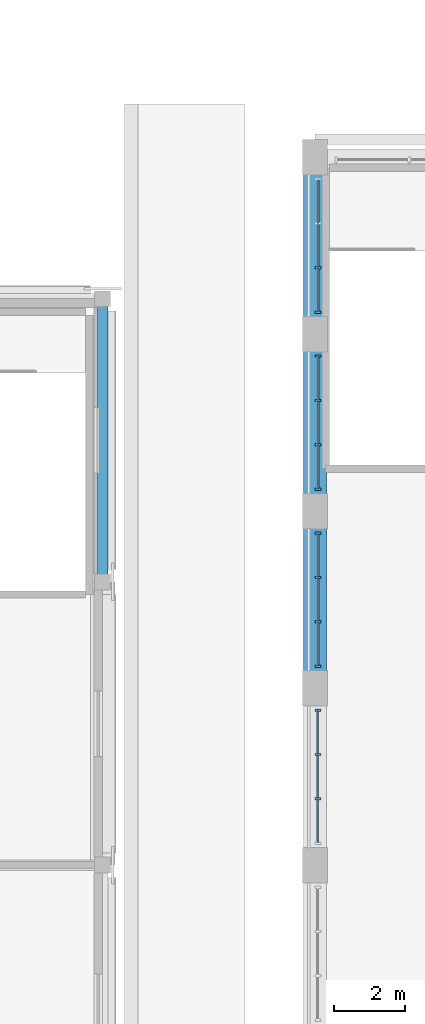
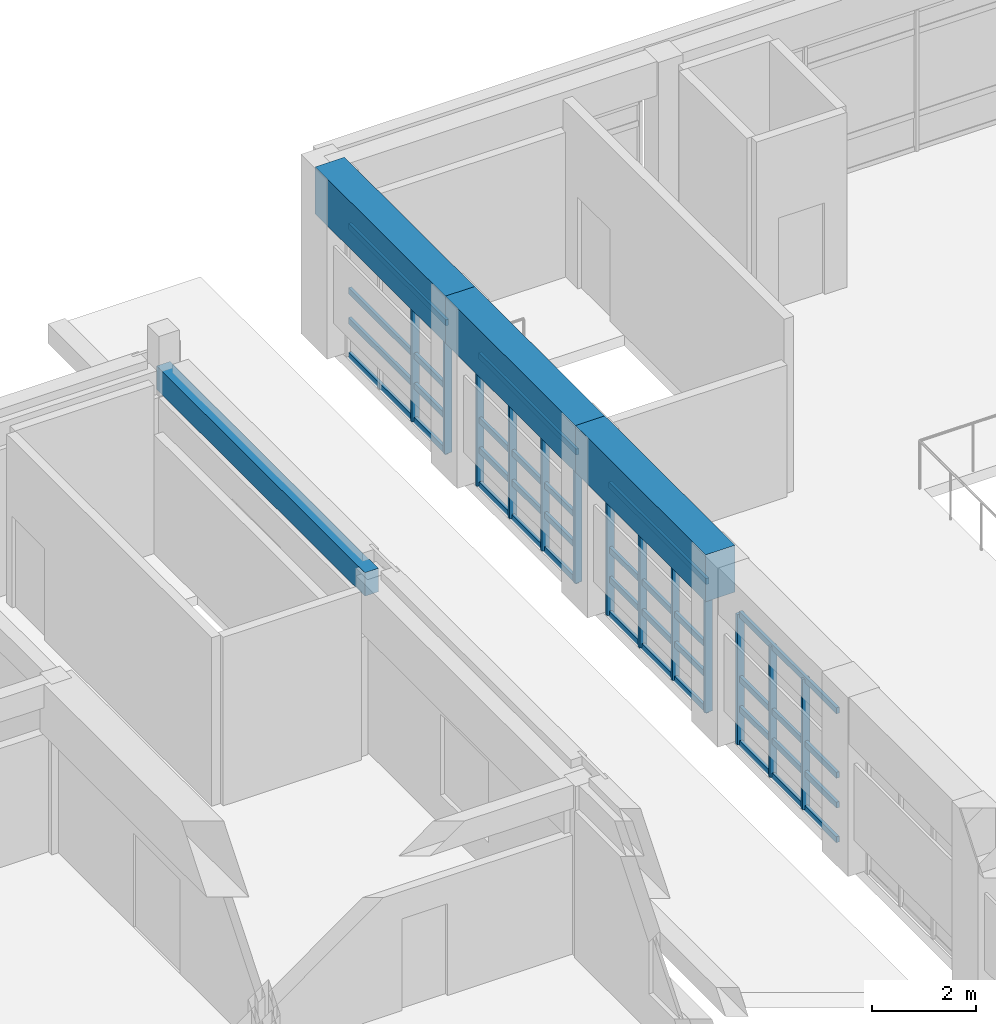
# One storey, part 26 of 97: 29 members, 4 beams, 4 elements without a shape of their own.
"""IFC4 building model written with IfcOpenShell, lengths in metres."""

import ifcopenshell
import ifcopenshell.guid

model = None  # the IFC model being written
_history = None  # IfcOwnerHistory: only IFC2X3 demands one
_inside = {}  # id of a spatial element -> (the spatial element, [elements in it])
_under = {}  # id of a project, library or spatial element -> (it, [spatial elements below it])
_declared = {}  # id of a project -> (the project, [libraries it declares])
_typed = {}  # id of a type object -> (the type object, [elements of that type])
_made_of = {}  # id of a material, layer set ... -> (it, [elements and type objects made of it])


def new_model(schema):
    """Start an empty IFC model of exactly this schema.

    Asked for "IFC4X3", IfcOpenShell would pick the latest addendum, in which some entities
    have other attributes; the version numbers below select the first issue.
    IFC2X3 requires an IfcOwnerHistory on every rooted entity: one is made here for all.
    """
    global model, _history
    if schema == "IFC4X3":
        model = ifcopenshell.file(schema_version=(4, 3, 0, 0))
    else:
        model = ifcopenshell.file(schema=schema)
    _inside.clear()
    _under.clear()
    _declared.clear()
    _typed.clear()
    _made_of.clear()
    _history = None
    if model.schema == "IFC2X3":
        org = make("IfcOrganization", Name="unknown")
        user = make(
            "IfcPersonAndOrganization",
            ThePerson=make("IfcPerson", FamilyName="unknown"),
            TheOrganization=org,
        )
        app = make(
            "IfcApplication",
            ApplicationDeveloper=org,
            Version="unknown",
            ApplicationFullName="unknown",
            ApplicationIdentifier="unknown",
        )
        _history = make(
            "IfcOwnerHistory",
            OwningUser=user,
            OwningApplication=app,
            ChangeAction="ADDED",
            CreationDate=0,
        )
    return model


def make(cls, **values):
    """One entity of the class cls with the attributes given. An attribute that is None is left unset."""
    return model.create_entity(
        cls, **{name: value for name, value in values.items() if value is not None}
    )


def rooted(cls, **values):
    """An entity with a GlobalId (a new one), such as an element, a storey or a relation."""
    return make(cls, GlobalId=ifcopenshell.guid.new(), OwnerHistory=_history, **values)


def si_unit(unit_type, name, prefix=None):
    """IfcSIUnit, for example si_unit("LENGTHUNIT", "METRE", prefix="MILLI")."""
    return make("IfcSIUnit", UnitType=unit_type, Prefix=prefix, Name=name)


def assignment(units):
    """IfcUnitAssignment: the units of a project."""
    return None if units is None else make("IfcUnitAssignment", Units=units)


def point(xyz):
    """IfcCartesianPoint."""
    return None if xyz is None else make("IfcCartesianPoint", Coordinates=xyz)


def direction(xyz):
    """IfcDirection."""
    return None if xyz is None else make("IfcDirection", DirectionRatios=xyz)


def frame(location, z_axis=None, x_axis=None):
    """IfcAxis2Placement3D, a coordinate frame: its origin and axes. An axis left out is left unset."""
    return make(
        "IfcAxis2Placement3D",
        Location=point(location),
        Axis=direction(z_axis),
        RefDirection=direction(x_axis),
    )


def frame_2d(location, x_axis=None):
    """IfcAxis2Placement2D, a coordinate frame in the plane: its origin and x axis."""
    return make(
        "IfcAxis2Placement2D", Location=point(location), RefDirection=direction(x_axis)
    )


def origin():
    """The frame at (0, 0, 0) with its axes left unset."""
    return frame((0.0, 0.0, 0.0))


def origin_2d():
    """The frame at (0, 0) in the plane with its x axis left unset."""
    return frame_2d((0.0, 0.0))


def place(relative_to, where):
    """IfcLocalPlacement: puts the frame where relative to a parent placement (None: the world)."""
    return make(
        "IfcLocalPlacement", PlacementRelTo=relative_to, RelativePlacement=where
    )


def context(
    kind, dimensions, precision=None, world=None, true_north=None, identifier=None
):
    """IfcGeometricRepresentationContext, for example the 3D "Model" context."""
    return make(
        "IfcGeometricRepresentationContext",
        ContextIdentifier=identifier,
        ContextType=kind,
        CoordinateSpaceDimension=dimensions,
        Precision=precision,
        WorldCoordinateSystem=world,
        TrueNorth=true_north,
    )


def subcontext(parent, identifier, kind, view, scale=None):
    """IfcGeometricRepresentationSubContext, for example "Body" below "Model"."""
    return make(
        "IfcGeometricRepresentationSubContext",
        ContextIdentifier=identifier,
        ContextType=kind,
        ParentContext=parent,
        TargetScale=scale,
        TargetView=view,
    )


def project(units=None, contexts=None):
    """IfcProject with its units and contexts."""
    return rooted(
        "IfcProject",
        Name="project",
        RepresentationContexts=contexts,
        UnitsInContext=assignment(units),
    )


def spatial(cls, under=None, at=None, **own):
    """A site, building, storey or space (cls), placed at a placement, below another one or the project."""
    s = rooted(cls, ObjectPlacement=at, **own)
    if under is not None:
        _under.setdefault(under.id(), (under, []))[1].append(s)
    return s


def profile(cls, at=None, kind="AREA", **sizes):
    """A parametric profile (cls). Its sizes go by their IFC names, for example OverallWidth=200.0."""
    return make(cls, ProfileType=kind, Position=at, **sizes)


def rectangle(**sizes):
    """IfcRectangleProfileDef."""
    return profile("IfcRectangleProfileDef", **sizes)


def extrude(swept, where, along, depth):
    """IfcExtrudedAreaSolid: the profile swept, set in the frame where, extruded along a direction by depth."""
    return make(
        "IfcExtrudedAreaSolid",
        SweptArea=swept,
        Position=where,
        ExtrudedDirection=direction(along),
        Depth=depth,
    )


def shape(context_of_items, identifier, shape_type, items):
    """IfcShapeRepresentation: the items that make up one representation, for example the "Body"."""
    return make(
        "IfcShapeRepresentation",
        ContextOfItems=context_of_items,
        RepresentationIdentifier=identifier,
        RepresentationType=shape_type,
        Items=items,
    )


def material(Name=None, Category=None):
    """IfcMaterial."""
    return make("IfcMaterial", Name=Name, Category=Category)


def material_profile(
    of_material, cross_section, Name=None, Category=None, Priority=None
):
    """IfcMaterialProfile: a cross section and its material."""
    return make(
        "IfcMaterialProfile",
        Name=Name,
        Material=of_material,
        Profile=cross_section,
        Priority=Priority,
        Category=Category,
    )


def profile_set(profiles, Name=None, composite=None):
    """IfcMaterialProfileSet."""
    return make(
        "IfcMaterialProfileSet",
        Name=Name,
        MaterialProfiles=profiles,
        CompositeProfile=composite,
    )


def made_of(thing, what):
    """Note that an element or type object is made of a material, layer set ...; save() writes the relation."""
    if what is not None:
        _made_of.setdefault(what.id(), (what, []))[1].append(thing)
    return thing


def type_object(cls, material=None, **own):
    """A type object (cls), such as IfcWallType, which elements share."""
    return made_of(rooted(cls, **own), material)


def element(
    cls,
    number,
    at=None,
    inside=None,
    cuts=None,
    type_object=None,
    material=None,
    context=None,
    identifier="Body",
    shape_type=None,
    held_by="IfcProductDefinitionShape",
    body=None,
    shapes=None,
    **own,
):
    """One element of the class cls, such as IfcWall. Its Tag is "e" and its number.

    at: its placement. inside: the storey or other place that contains it. cuts: it is an
    opening in that element (IfcRelVoidsElement). A single representation is given by context,
    identifier, shape_type and body (its items); several are given by shapes. held_by: the class
    of the entity that holds the representations. save() writes the other relations.
    """
    e = rooted(cls, Tag="e%d" % number, ObjectPlacement=at, **own)
    if body is not None:
        shapes = [shape(context, identifier, shape_type, body)]
    if shapes is not None:
        e.Representation = make(held_by, Representations=shapes)
    if inside is not None:
        _inside.setdefault(inside.id(), (inside, []))[1].append(e)
    if cuts is not None:
        rooted(
            "IfcRelVoidsElement", RelatingBuildingElement=cuts, RelatedOpeningElement=e
        )
    if type_object is not None:
        _typed.setdefault(type_object.id(), (type_object, []))[1].append(e)
    return made_of(e, material)


def aggregate(whole, parts):
    """IfcRelAggregates: a whole, such as a stair, and the parts it consists of."""
    return rooted("IfcRelAggregates", RelatingObject=whole, RelatedObjects=parts)


def save(model, path):
    """Write the relations noted so far, then the file.

    IfcRelAggregates (storeys below a building ...), IfcRelContainedInSpatialStructure (elements
    in a storey), IfcRelDefinesByType, IfcRelAssociatesMaterial and IfcRelDeclares: one each for
    every whole, place, type object, material and project.
    """
    for whole, parts in _under.values():
        aggregate(whole, parts)
    for where, things in _inside.values():
        rooted(
            "IfcRelContainedInSpatialStructure",
            RelatedElements=things,
            RelatingStructure=where,
        )
    for kind, things in _typed.values():
        rooted("IfcRelDefinesByType", RelatedObjects=things, RelatingType=kind)
    for what, things in _made_of.values():
        rooted("IfcRelAssociatesMaterial", RelatedObjects=things, RelatingMaterial=what)
    for by, libraries in _declared.values():
        rooted("IfcRelDeclares", RelatingContext=by, RelatedDefinitions=libraries)
    model.write(path)


model = new_model("IFC4")

# Units and contexts
model_context = context("Model", 3, precision=1e-05, world=origin(), true_north=direction((0.0, 1.0)))
body_context = subcontext(model_context, "Body", "Model", "MODEL_VIEW")
ifc_project = project(units=[si_unit("LENGTHUNIT", "METRE"), si_unit("AREAUNIT", "SQUARE_METRE"), si_unit("VOLUMEUNIT", "CUBIC_METRE"), si_unit("PLANEANGLEUNIT", "RADIAN"), si_unit("MASSUNIT", "GRAM", prefix="KILO")], contexts=[model_context])

# Site, building, storey
site_placement = place(None, origin())
site = spatial("IfcSite", under=ifc_project, at=site_placement, CompositionType="ELEMENT")
building_placement = place(site_placement, origin())
building = spatial("IfcBuilding", under=site, at=building_placement, Name="Kiranvali Square Residences", CompositionType="ELEMENT")
storey_placement = place(building_placement, frame((0.0, 0.0, 4.5)))
storey = spatial("IfcBuildingStorey", under=building, at=storey_placement, Name="L01", CompositionType="ELEMENT", Elevation=4.5)

# Beams
ifc_material_1 = material(Name="Concrete M40 (40 MPa)", Category="concrete")
ifc_material_profile_1 = material_profile(ifc_material_1, rectangle(XDim=0.300048828125, YDim=0.550048828125, at=origin_2d()), Name="RC 300x550")
ifc_profile_set_1 = profile_set([ifc_material_profile_1], Name="Concrete M40 (40 MPa)")
beam_type_1 = type_object("IfcBeamType", Name="BM-M40-300x550", PredefinedType="BEAM", material=ifc_profile_set_1)
beam_placement = place(storey_placement, frame((66.0, 72.0, 3.72509765625), z_axis=(0.0, 1.0, 0.0), x_axis=(-1.0, 0.0, 0.0)))
element("IfcBeam", 1, at=beam_placement, inside=storey, type_object=beam_type_1, Name="L01 beam BM-NR-L01-Y4-2", PredefinedType="BEAM", context=body_context, shape_type="SweptSolid", body=[
    extrude(rectangle(XDim=0.300048828125, YDim=0.550048828125, at=origin_2d()), origin(), (0.0, 0.0, 1.0), 8.0),
])
ifc_material_2 = material(Name="Concrete M45 (45 MPa)", Category="concrete")
ifc_material_profile_2 = material_profile(ifc_material_2, rectangle(XDim=0.64990234375, YDim=1.10009765625, at=origin_2d()), Name="RC 650x1100")
ifc_profile_set_2 = profile_set([ifc_material_profile_2], Name="Concrete M45 (45 MPa)")
beam_type_2 = type_object("IfcBeamType", Name="BM-RING-650x1100", PredefinedType="BEAM", material=ifc_profile_set_2)
for number, where, z_axis, x_axis, name in (
    (2, (72.0, 69.0, 3.64990234375), (0.0, 1.0, 0.0), (-1.0, 0.0, 0.0), "Community Hall longitudinal vault ring beam W-6"),
    (3, (72.0, 74.0, 3.64990234375), (0.0, 1.0, 0.0), (-1.0, 0.0, 0.0), "Community Hall longitudinal vault ring beam W-7"),
    (4, (72.0, 79.0, 3.64990234375), (0.0, 1.0, 0.0), (-1.0, 0.0, 0.0), "Community Hall longitudinal vault ring beam W-8"),
):
    element("IfcBeam", number, at=place(storey_placement, frame(where, z_axis=z_axis, x_axis=x_axis)), inside=storey, type_object=beam_type_2, Name=name, PredefinedType="BEAM", context=body_context, shape_type="SweptSolid", body=[
        extrude(rectangle(XDim=0.64990234375, YDim=1.10009765625, at=origin_2d()), origin(), (0.0, 0.0, 1.0), 5.0),
    ])

# Curtain wall, members
ifc_material_3 = material(Name="Anodised bronze aluminium framing", Category="aluminium")
curtain_wall_type = type_object("IfcCurtainWallType", Name="CW-CH-GLZ", PredefinedType="USERDEFINED", material=ifc_material_3)
curtain_wall_1_placement = place(storey_placement, origin())
curtain_wall_1 = element("IfcCurtainWall", 5, at=curtain_wall_1_placement, inside=storey, type_object=curtain_wall_type, Name="Community Hall L01 W clerestory bay 5", ObjectType="CURTAIN WALL", PredefinedType="USERDEFINED")
ifc_material_profile_3 = material_profile(ifc_material_3, rectangle(XDim=0.06494140625, YDim=0.159912109375, at=origin_2d()), Name="ALU 65x160")
ifc_profile_set_3 = profile_set([ifc_material_profile_3], Name="Anodised bronze aluminium framing")
member_type_1 = type_object("IfcMemberType", Name="CW-MUL-160", PredefinedType="MULLION", material=ifc_profile_set_3)
member_1_placement = place(storey_placement, frame((72.080078125, 65.873291015625, 0.02001953125), z_axis=(0.0, 0.0, 1.0), x_axis=(0.0, 1.0, 0.0)))
member_1 = element("IfcMember", 6, at=member_1_placement, type_object=member_type_1, Name="CW-CH-L01-W5 vertical mullion 2", PredefinedType="MULLION", context=body_context, shape_type="SweptSolid", body=[
    extrude(rectangle(XDim=0.06494140625, YDim=0.159912109375, at=origin_2d()), origin(), (0.0, 0.0, 1.0), 3.06005859375),
])
member_2_placement = place(storey_placement, frame((72.080078125, 67.126708984375, 0.02001953125), z_axis=(0.0, 0.0, 1.0), x_axis=(0.0, 1.0, 0.0)))
member_2 = element("IfcMember", 7, at=member_2_placement, type_object=member_type_1, Name="CW-CH-L01-W5 vertical mullion 3", PredefinedType="MULLION", context=body_context, shape_type="SweptSolid", body=[
    extrude(rectangle(XDim=0.06494140625, YDim=0.159912109375, at=origin_2d()), origin(), (0.0, 0.0, 1.0), 3.06005859375),
])
member_3_placement = place(storey_placement, frame((72.080078125, 68.3798828125, 0.02001953125), z_axis=(0.0, 0.0, 1.0), x_axis=(0.0, 1.0, 0.0)))
member_3 = element("IfcMember", 8, at=member_3_placement, type_object=member_type_1, Name="CW-CH-L01-W5 vertical mullion 4", PredefinedType="MULLION", context=body_context, shape_type="SweptSolid", body=[
    extrude(rectangle(XDim=0.06494140625, YDim=0.159912109375, at=origin_2d()), origin(), (0.0, 0.0, 1.0), 3.06005859375),
])

curtain_wall_2_placement = place(storey_placement, origin())
curtain_wall_2 = element("IfcCurtainWall", 9, at=curtain_wall_2_placement, inside=storey, type_object=curtain_wall_type, Name="Community Hall L01 W clerestory bay 6", ObjectType="CURTAIN WALL", PredefinedType="USERDEFINED")
member_4_placement = place(storey_placement, frame((72.080078125, 69.6201171875, 0.02001953125), z_axis=(0.0, 0.0, 1.0), x_axis=(0.0, 1.0, 0.0)))
member_4 = element("IfcMember", 10, at=member_4_placement, type_object=member_type_1, Name="CW-CH-L01-W6 vertical mullion 1", PredefinedType="MULLION", context=body_context, shape_type="SweptSolid", body=[
    extrude(rectangle(XDim=0.06494140625, YDim=0.159912109375, at=origin_2d()), origin(), (0.0, 0.0, 1.0), 3.06005859375),
])
member_5_placement = place(storey_placement, frame((72.080078125, 70.873291015625, 0.02001953125), z_axis=(0.0, 0.0, 1.0), x_axis=(0.0, 1.0, 0.0)))
member_5 = element("IfcMember", 11, at=member_5_placement, type_object=member_type_1, Name="CW-CH-L01-W6 vertical mullion 2", PredefinedType="MULLION", context=body_context, shape_type="SweptSolid", body=[
    extrude(rectangle(XDim=0.06494140625, YDim=0.159912109375, at=origin_2d()), origin(), (0.0, 0.0, 1.0), 3.06005859375),
])
member_6_placement = place(storey_placement, frame((72.080078125, 72.126708984375, 0.02001953125), z_axis=(0.0, 0.0, 1.0), x_axis=(0.0, 1.0, 0.0)))
member_6 = element("IfcMember", 12, at=member_6_placement, type_object=member_type_1, Name="CW-CH-L01-W6 vertical mullion 3", PredefinedType="MULLION", context=body_context, shape_type="SweptSolid", body=[
    extrude(rectangle(XDim=0.06494140625, YDim=0.159912109375, at=origin_2d()), origin(), (0.0, 0.0, 1.0), 3.06005859375),
])
member_7_placement = place(storey_placement, frame((72.080078125, 73.3798828125, 0.02001953125), z_axis=(0.0, 0.0, 1.0), x_axis=(0.0, 1.0, 0.0)))
member_7 = element("IfcMember", 13, at=member_7_placement, type_object=member_type_1, Name="CW-CH-L01-W6 vertical mullion 4", PredefinedType="MULLION", context=body_context, shape_type="SweptSolid", body=[
    extrude(rectangle(XDim=0.06494140625, YDim=0.159912109375, at=origin_2d()), origin(), (0.0, 0.0, 1.0), 3.06005859375),
])

curtain_wall_3_placement = place(storey_placement, origin())
curtain_wall_3 = element("IfcCurtainWall", 14, at=curtain_wall_3_placement, inside=storey, type_object=curtain_wall_type, Name="Community Hall L01 W clerestory bay 7", ObjectType="CURTAIN WALL", PredefinedType="USERDEFINED")
member_8_placement = place(storey_placement, frame((72.080078125, 74.6201171875, 0.02001953125), z_axis=(0.0, 0.0, 1.0), x_axis=(0.0, 1.0, 0.0)))
member_8 = element("IfcMember", 15, at=member_8_placement, type_object=member_type_1, Name="CW-CH-L01-W7 vertical mullion 1", PredefinedType="MULLION", context=body_context, shape_type="SweptSolid", body=[
    extrude(rectangle(XDim=0.06494140625, YDim=0.159912109375, at=origin_2d()), origin(), (0.0, 0.0, 1.0), 3.06005859375),
])
member_9_placement = place(storey_placement, frame((72.080078125, 75.873291015625, 0.02001953125), z_axis=(0.0, 0.0, 1.0), x_axis=(0.0, 1.0, 0.0)))
member_9 = element("IfcMember", 16, at=member_9_placement, type_object=member_type_1, Name="CW-CH-L01-W7 vertical mullion 2", PredefinedType="MULLION", context=body_context, shape_type="SweptSolid", body=[
    extrude(rectangle(XDim=0.06494140625, YDim=0.159912109375, at=origin_2d()), origin(), (0.0, 0.0, 1.0), 3.06005859375),
])
member_10_placement = place(storey_placement, frame((72.080078125, 77.126708984375, 0.02001953125), z_axis=(0.0, 0.0, 1.0), x_axis=(0.0, 1.0, 0.0)))
member_10 = element("IfcMember", 17, at=member_10_placement, type_object=member_type_1, Name="CW-CH-L01-W7 vertical mullion 3", PredefinedType="MULLION", context=body_context, shape_type="SweptSolid", body=[
    extrude(rectangle(XDim=0.06494140625, YDim=0.159912109375, at=origin_2d()), origin(), (0.0, 0.0, 1.0), 3.06005859375),
])
member_11_placement = place(storey_placement, frame((72.080078125, 78.3798828125, 0.02001953125), z_axis=(0.0, 0.0, 1.0), x_axis=(0.0, 1.0, 0.0)))
member_11 = element("IfcMember", 18, at=member_11_placement, type_object=member_type_1, Name="CW-CH-L01-W7 vertical mullion 4", PredefinedType="MULLION", context=body_context, shape_type="SweptSolid", body=[
    extrude(rectangle(XDim=0.06494140625, YDim=0.159912109375, at=origin_2d()), origin(), (0.0, 0.0, 1.0), 3.06005859375),
])

curtain_wall_4_placement = place(storey_placement, origin())
curtain_wall_4 = element("IfcCurtainWall", 19, at=curtain_wall_4_placement, inside=storey, type_object=curtain_wall_type, Name="Community Hall L01 W clerestory bay 8", ObjectType="CURTAIN WALL", PredefinedType="USERDEFINED")
member_12_placement = place(storey_placement, frame((72.080078125, 79.6201171875, 0.02001953125), z_axis=(0.0, 0.0, 1.0), x_axis=(0.0, 1.0, 0.0)))
member_12 = element("IfcMember", 20, at=member_12_placement, type_object=member_type_1, Name="CW-CH-L01-W8 vertical mullion 1", PredefinedType="MULLION", context=body_context, shape_type="SweptSolid", body=[
    extrude(rectangle(XDim=0.06494140625, YDim=0.159912109375, at=origin_2d()), origin(), (0.0, 0.0, 1.0), 3.06005859375),
])
member_13_placement = place(storey_placement, frame((72.080078125, 80.873291015625, 0.02001953125), z_axis=(0.0, 0.0, 1.0), x_axis=(0.0, 1.0, 0.0)))
member_13 = element("IfcMember", 21, at=member_13_placement, type_object=member_type_1, Name="CW-CH-L01-W8 vertical mullion 2", PredefinedType="MULLION", context=body_context, shape_type="SweptSolid", body=[
    extrude(rectangle(XDim=0.06494140625, YDim=0.159912109375, at=origin_2d()), origin(), (0.0, 0.0, 1.0), 3.06005859375),
])

# Member
ifc_material_profile_4 = material_profile(ifc_material_3, rectangle(XDim=0.06494140625, YDim=0.139892578125, at=origin_2d()), Name="ALU 65x140")
ifc_profile_set_4 = profile_set([ifc_material_profile_4], Name="Anodised bronze aluminium framing")
member_type_2 = type_object("IfcMemberType", Name="CW-TRN-140", PredefinedType="MULLION", material=ifc_profile_set_4)
member_14_placement = place(storey_placement, frame((72.080078125, 64.6298828125, 0.0400390625), z_axis=(0.0, 1.0, 0.0), x_axis=(-1.0, 0.0, 0.0)))
member_14 = element("IfcMember", 22, at=member_14_placement, type_object=member_type_2, Name="CW-CH-L01-W5 horizontal transom 1", PredefinedType="MULLION", context=body_context, shape_type="SweptSolid", body=[
    extrude(rectangle(XDim=0.06494140625, YDim=0.139892578125, at=origin_2d()), origin(), (0.0, 0.0, 1.0), 3.740234375),
])

member_15_placement = place(storey_placement, frame((72.080078125, 64.6298828125, 0.85009765625), z_axis=(0.0, 1.0, 0.0), x_axis=(-1.0, 0.0, 0.0)))
member_15 = element("IfcMember", 23, at=member_15_placement, type_object=member_type_2, Name="CW-CH-L01-W5 horizontal transom 2", PredefinedType="MULLION", context=body_context, shape_type="SweptSolid", body=[
    extrude(rectangle(XDim=0.06494140625, YDim=0.139892578125, at=origin_2d()), origin(), (0.0, 0.0, 1.0), 3.740234375),
])

member_16_placement = place(storey_placement, frame((72.080078125, 64.6298828125, 1.550048828125), z_axis=(0.0, 1.0, 0.0), x_axis=(-1.0, 0.0, 0.0)))
member_16 = element("IfcMember", 24, at=member_16_placement, type_object=member_type_2, Name="CW-CH-L01-W5 horizontal transom 3", PredefinedType="MULLION", context=body_context, shape_type="SweptSolid", body=[
    extrude(rectangle(XDim=0.06494140625, YDim=0.139892578125, at=origin_2d()), origin(), (0.0, 0.0, 1.0), 3.740234375),
])

member_17_placement = place(storey_placement, frame((72.080078125, 64.6298828125, 3.06005859375), z_axis=(0.0, 1.0, 0.0), x_axis=(-1.0, 0.0, 0.0)))
member_17 = element("IfcMember", 25, at=member_17_placement, type_object=member_type_2, Name="CW-CH-L01-W5 horizontal transom 4", PredefinedType="MULLION", context=body_context, shape_type="SweptSolid", body=[
    extrude(rectangle(XDim=0.06494140625, YDim=0.139892578125, at=origin_2d()), origin(), (0.0, 0.0, 1.0), 3.740234375),
])

aggregate(curtain_wall_1, [member_1, member_2, member_3, member_14, member_15, member_16, member_17])

member_18_placement = place(storey_placement, frame((72.080078125, 69.6298828125, 0.0400390625), z_axis=(0.0, 1.0, 0.0), x_axis=(-1.0, 0.0, 0.0)))
member_18 = element("IfcMember", 26, at=member_18_placement, type_object=member_type_2, Name="CW-CH-L01-W6 horizontal transom 1", PredefinedType="MULLION", context=body_context, shape_type="SweptSolid", body=[
    extrude(rectangle(XDim=0.06494140625, YDim=0.139892578125, at=origin_2d()), origin(), (0.0, 0.0, 1.0), 3.740234375),
])

member_19_placement = place(storey_placement, frame((72.080078125, 69.6298828125, 0.85009765625), z_axis=(0.0, 1.0, 0.0), x_axis=(-1.0, 0.0, 0.0)))
member_19 = element("IfcMember", 27, at=member_19_placement, type_object=member_type_2, Name="CW-CH-L01-W6 horizontal transom 2", PredefinedType="MULLION", context=body_context, shape_type="SweptSolid", body=[
    extrude(rectangle(XDim=0.06494140625, YDim=0.139892578125, at=origin_2d()), origin(), (0.0, 0.0, 1.0), 3.740234375),
])

member_20_placement = place(storey_placement, frame((72.080078125, 69.6298828125, 1.550048828125), z_axis=(0.0, 1.0, 0.0), x_axis=(-1.0, 0.0, 0.0)))
member_20 = element("IfcMember", 28, at=member_20_placement, type_object=member_type_2, Name="CW-CH-L01-W6 horizontal transom 3", PredefinedType="MULLION", context=body_context, shape_type="SweptSolid", body=[
    extrude(rectangle(XDim=0.06494140625, YDim=0.139892578125, at=origin_2d()), origin(), (0.0, 0.0, 1.0), 3.740234375),
])

member_21_placement = place(storey_placement, frame((72.080078125, 69.6298828125, 3.06005859375), z_axis=(0.0, 1.0, 0.0), x_axis=(-1.0, 0.0, 0.0)))
member_21 = element("IfcMember", 29, at=member_21_placement, type_object=member_type_2, Name="CW-CH-L01-W6 horizontal transom 4", PredefinedType="MULLION", context=body_context, shape_type="SweptSolid", body=[
    extrude(rectangle(XDim=0.06494140625, YDim=0.139892578125, at=origin_2d()), origin(), (0.0, 0.0, 1.0), 3.740234375),
])

aggregate(curtain_wall_2, [member_4, member_5, member_6, member_7, member_18, member_19, member_20, member_21])

member_22_placement = place(storey_placement, frame((72.080078125, 74.6298828125, 0.0400390625), z_axis=(0.0, 1.0, 0.0), x_axis=(-1.0, 0.0, 0.0)))
member_22 = element("IfcMember", 30, at=member_22_placement, type_object=member_type_2, Name="CW-CH-L01-W7 horizontal transom 1", PredefinedType="MULLION", context=body_context, shape_type="SweptSolid", body=[
    extrude(rectangle(XDim=0.06494140625, YDim=0.139892578125, at=origin_2d()), origin(), (0.0, 0.0, 1.0), 3.740234375),
])

member_23_placement = place(storey_placement, frame((72.080078125, 74.6298828125, 0.85009765625), z_axis=(0.0, 1.0, 0.0), x_axis=(-1.0, 0.0, 0.0)))
member_23 = element("IfcMember", 31, at=member_23_placement, type_object=member_type_2, Name="CW-CH-L01-W7 horizontal transom 2", PredefinedType="MULLION", context=body_context, shape_type="SweptSolid", body=[
    extrude(rectangle(XDim=0.06494140625, YDim=0.139892578125, at=origin_2d()), origin(), (0.0, 0.0, 1.0), 3.740234375),
])

member_24_placement = place(storey_placement, frame((72.080078125, 74.6298828125, 1.550048828125), z_axis=(0.0, 1.0, 0.0), x_axis=(-1.0, 0.0, 0.0)))
member_24 = element("IfcMember", 32, at=member_24_placement, type_object=member_type_2, Name="CW-CH-L01-W7 horizontal transom 3", PredefinedType="MULLION", context=body_context, shape_type="SweptSolid", body=[
    extrude(rectangle(XDim=0.06494140625, YDim=0.139892578125, at=origin_2d()), origin(), (0.0, 0.0, 1.0), 3.740234375),
])

member_25_placement = place(storey_placement, frame((72.080078125, 74.6298828125, 3.06005859375), z_axis=(0.0, 1.0, 0.0), x_axis=(-1.0, 0.0, 0.0)))
member_25 = element("IfcMember", 33, at=member_25_placement, type_object=member_type_2, Name="CW-CH-L01-W7 horizontal transom 4", PredefinedType="MULLION", context=body_context, shape_type="SweptSolid", body=[
    extrude(rectangle(XDim=0.06494140625, YDim=0.139892578125, at=origin_2d()), origin(), (0.0, 0.0, 1.0), 3.740234375),
])

aggregate(curtain_wall_3, [member_8, member_9, member_10, member_11, member_22, member_23, member_24, member_25])

member_26_placement = place(storey_placement, frame((72.080078125, 79.6298828125, 0.0400390625), z_axis=(0.0, 1.0, 0.0), x_axis=(-1.0, 0.0, 0.0)))
member_26 = element("IfcMember", 34, at=member_26_placement, type_object=member_type_2, Name="CW-CH-L01-W8 horizontal transom 1", PredefinedType="MULLION", context=body_context, shape_type="SweptSolid", body=[
    extrude(rectangle(XDim=0.06494140625, YDim=0.139892578125, at=origin_2d()), origin(), (0.0, 0.0, 1.0), 3.740234375),
])

member_27_placement = place(storey_placement, frame((72.080078125, 79.6298828125, 0.85009765625), z_axis=(0.0, 1.0, 0.0), x_axis=(-1.0, 0.0, 0.0)))
member_27 = element("IfcMember", 35, at=member_27_placement, type_object=member_type_2, Name="CW-CH-L01-W8 horizontal transom 2", PredefinedType="MULLION", context=body_context, shape_type="SweptSolid", body=[
    extrude(rectangle(XDim=0.06494140625, YDim=0.139892578125, at=origin_2d()), origin(), (0.0, 0.0, 1.0), 3.740234375),
])

member_28_placement = place(storey_placement, frame((72.080078125, 79.6298828125, 1.550048828125), z_axis=(0.0, 1.0, 0.0), x_axis=(-1.0, 0.0, 0.0)))
member_28 = element("IfcMember", 36, at=member_28_placement, type_object=member_type_2, Name="CW-CH-L01-W8 horizontal transom 3", PredefinedType="MULLION", context=body_context, shape_type="SweptSolid", body=[
    extrude(rectangle(XDim=0.06494140625, YDim=0.139892578125, at=origin_2d()), origin(), (0.0, 0.0, 1.0), 3.740234375),
])

member_29_placement = place(storey_placement, frame((72.080078125, 79.6298828125, 3.06005859375), z_axis=(0.0, 1.0, 0.0), x_axis=(-1.0, 0.0, 0.0)))
member_29 = element("IfcMember", 37, at=member_29_placement, type_object=member_type_2, Name="CW-CH-L01-W8 horizontal transom 4", PredefinedType="MULLION", context=body_context, shape_type="SweptSolid", body=[
    extrude(rectangle(XDim=0.06494140625, YDim=0.139892578125, at=origin_2d()), origin(), (0.0, 0.0, 1.0), 3.740234375),
])

aggregate(curtain_wall_4, [member_12, member_13, member_26, member_27, member_28, member_29])

save(model, "model.ifc")
